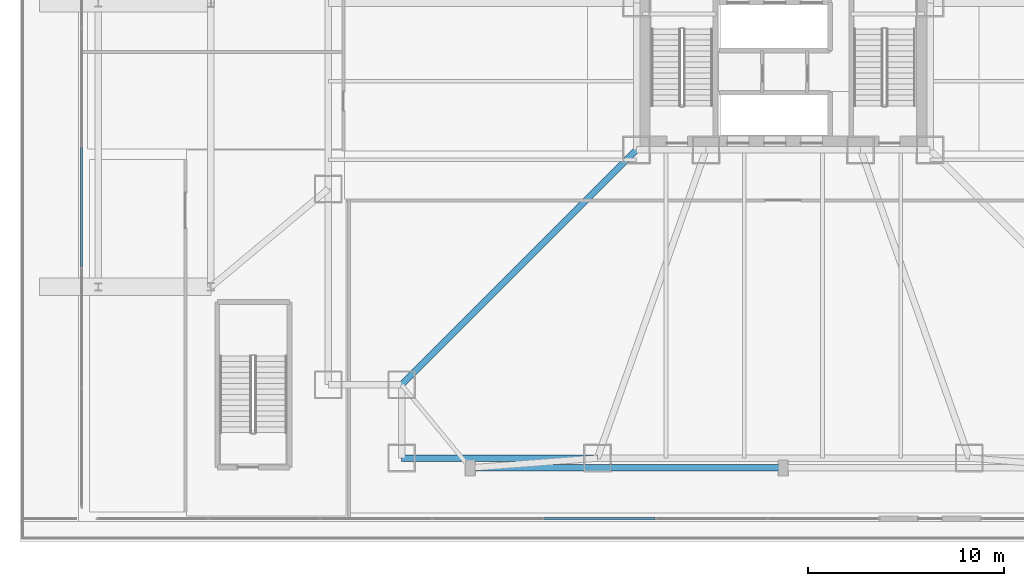
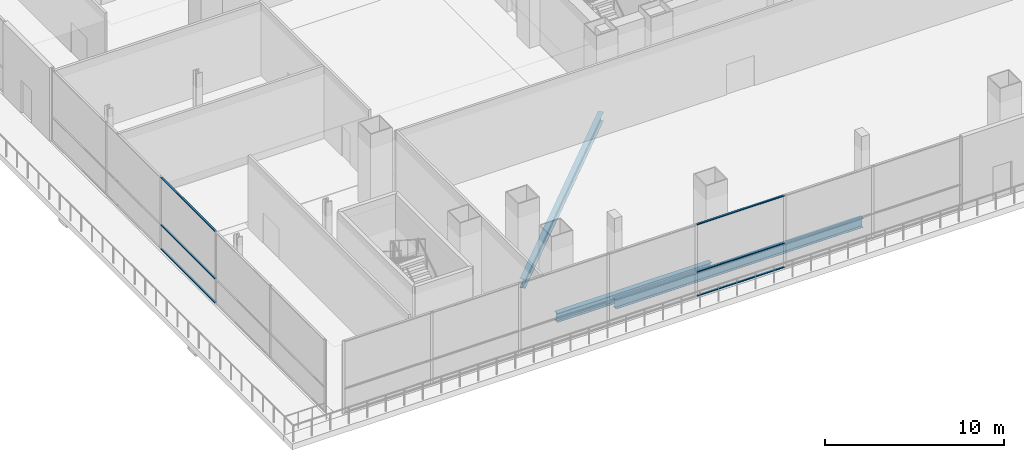
# One storey, part 6 of 35: 6 members, 3 beams, 2 elements without a shape of their own.
"""IFC4 building model written with IfcOpenShell, lengths in metres."""

from ifc_helpers import new_model, si_unit, direction, frame, origin, origin_2d, place, context, subcontext, project, spatial, rectangle, i_section, extrude, material, layer, layer_set, material_profile, profile_set, type_object, element, aggregate, save


model = new_model("IFC4")

# Units and contexts
model_context = context("Model", 3, precision=1e-05, world=origin(), true_north=direction((0.0, 1.0)))
body_context = subcontext(model_context, "Body", "Model", "MODEL_VIEW")
ifc_project = project(units=[si_unit("LENGTHUNIT", "METRE"), si_unit("AREAUNIT", "SQUARE_METRE"), si_unit("VOLUMEUNIT", "CUBIC_METRE"), si_unit("PLANEANGLEUNIT", "RADIAN"), si_unit("MASSUNIT", "GRAM", prefix="KILO")], contexts=[model_context])

# Site, building, storey
site_placement = place(None, origin())
site = spatial("IfcSite", under=ifc_project, at=site_placement, CompositionType="ELEMENT")
building_placement = place(site_placement, origin())
building = spatial("IfcBuilding", under=site, at=building_placement, Name="Trevonay Congress Spire", CompositionType="ELEMENT")
storey_placement = place(building_placement, frame((0.0, 0.0, 10.800048828125)))
storey = spatial("IfcBuildingStorey", under=building, at=storey_placement, Name="L02", CompositionType="ELEMENT", Elevation=10.800048828125)

# Beams
ifc_material_1 = material(Name="Steel ASTM A572 Grade 50", Category="steel")
ifc_material_profile_1 = material_profile(ifc_material_1, i_section(OverallWidth=0.324951171875, OverallDepth=0.615966796875, WebThickness=0.013916015625, FlangeThickness=0.021484375, FilletRadius=0.01806640625, at=origin_2d()), Name="W610x174")
ifc_profile_set_1 = profile_set([ifc_material_profile_1], Name="Steel ASTM A572 Grade 50")
beam_type = type_object("IfcBeamType", Name="BM-GIRD-W610X174", PredefinedType="BEAM", material=ifc_profile_set_1)
beam_1_placement = place(storey_placement, frame((-19.5, -23.25, -0.7080078125), z_axis=(1.0, 0.0, 0.0), x_axis=(0.0, 1.0, 0.0)))
element("IfcBeam", 1, at=beam_1_placement, inside=storey, type_object=beam_type, Name="L02 structural beam BM-L02-MS1", PredefinedType="BEAM", context=body_context, shape_type="SweptSolid", body=[
    extrude(i_section(OverallWidth=0.324951171875, OverallDepth=0.615966796875, WebThickness=0.013916015625, FlangeThickness=0.021484375, FilletRadius=0.01806640625, at=origin_2d()), origin(), (0.0, 0.0, 1.0), 10.0),
])
beam_2_placement = place(storey_placement, frame((-7.5, -7.5, -0.7080078125), z_axis=(-0.707106781187, -0.707106781187, 0.0), x_axis=(0.707106781187, -0.707106781187, 0.0)))
element("IfcBeam", 2, at=beam_2_placement, inside=storey, type_object=beam_type, Name="L02 structural beam BM-L02-RAD-SW", PredefinedType="BEAM", context=body_context, shape_type="SweptSolid", body=[
    extrude(i_section(OverallWidth=0.324951171875, OverallDepth=0.615966796875, WebThickness=0.013916015625, FlangeThickness=0.021484375, FilletRadius=0.01806640625, at=origin_2d()), origin(), (0.0, 0.0, 1.0), 16.970458984375),
])
beam_3_placement = place(storey_placement, frame((-16.0, -23.75, -0.7080078125), z_axis=(1.0, 0.0, 0.0), x_axis=(0.0, 1.0, 0.0)))
element("IfcBeam", 3, at=beam_3_placement, inside=storey, type_object=beam_type, Name="L02 structural beam BM-L02-PIL-S1", PredefinedType="BEAM", context=body_context, shape_type="SweptSolid", body=[
    extrude(i_section(OverallWidth=0.324951171875, OverallDepth=0.615966796875, WebThickness=0.013916015625, FlangeThickness=0.021484375, FilletRadius=0.01806640625, at=origin_2d()), origin(), (0.0, 0.0, 1.0), 16.0),
])

# Curtain wall, members
ifc_material_2 = material(Name="Pale Anodised Aluminium EN AW-6063-T6", Category="aluminium")
ifc_layer = layer(ifc_material_2, 0.179931640625, Name="Pale Anodised Aluminium EN AW-6063-T6")
ifc_layer_set = layer_set([ifc_layer], Name="Pale Anodised Aluminium EN AW-6063-T6")
curtain_wall_type = type_object("IfcCurtainWallType", Name="CW-SYS01-PODIUM-PALE-METAL", PredefinedType="NOTDEFINED", material=ifc_layer_set)
curtain_wall_1_placement = place(storey_placement, origin())
curtain_wall_1 = element("IfcCurtainWall", 4, at=curtain_wall_1_placement, inside=storey, type_object=curtain_wall_type, Name="L02 W1 podium curtain wall", PredefinedType="NOTDEFINED")
ifc_material_profile_2 = material_profile(ifc_material_2, rectangle(XDim=0.1201171875, YDim=0.06005859375, at=origin_2d()), Name="CW-TRANSOM-120-ALUMINIUM")
ifc_profile_set_2 = profile_set([ifc_material_profile_2], Name="Pale Anodised Aluminium EN AW-6063-T6")
member_type = type_object("IfcMemberType", Name="CW-TRANSOM-120-ALUMINIUM", PredefinedType="USERDEFINED", material=ifc_profile_set_2)
member_1_placement = place(storey_placement, frame((-35.85009765625, -13.4599609375, 0.06005859375), z_axis=(0.0, 1.0, 0.0), x_axis=(-1.0, 0.0, 0.0)))
member_1 = element("IfcMember", 5, at=member_1_placement, type_object=member_type, Name="CW01 transom 3.1", ObjectType="TRANSOM", PredefinedType="USERDEFINED", context=body_context, shape_type="SweptSolid", body=[
    extrude(rectangle(XDim=0.1201171875, YDim=0.06005859375, at=origin_2d()), origin(), (0.0, 0.0, 1.0), 6.070068359375),
])
member_2_placement = place(storey_placement, frame((-35.85009765625, -13.4599609375, 1.699951171875), z_axis=(0.0, 1.0, 0.0), x_axis=(-1.0, 0.0, 0.0)))
member_2 = element("IfcMember", 6, at=member_2_placement, type_object=member_type, Name="CW01 transom 3.2", ObjectType="TRANSOM", PredefinedType="USERDEFINED", context=body_context, shape_type="SweptSolid", body=[
    extrude(rectangle(XDim=0.1201171875, YDim=0.06005859375, at=origin_2d()), origin(), (0.0, 0.0, 1.0), 6.070068359375),
])
member_3_placement = place(storey_placement, frame((-35.85009765625, -13.4599609375, 4.93994140625), z_axis=(0.0, 1.0, 0.0), x_axis=(-1.0, 0.0, 0.0)))
member_3 = element("IfcMember", 7, at=member_3_placement, type_object=member_type, Name="CW01 transom 3.3", ObjectType="TRANSOM", PredefinedType="USERDEFINED", context=body_context, shape_type="SweptSolid", body=[
    extrude(rectangle(XDim=0.1201171875, YDim=0.06005859375, at=origin_2d()), origin(), (0.0, 0.0, 1.0), 6.070068359375),
])
aggregate(curtain_wall_1, [member_1, member_2, member_3])

curtain_wall_2_placement = place(storey_placement, origin())
curtain_wall_2 = element("IfcCurtainWall", 8, at=curtain_wall_2_placement, inside=storey, type_object=curtain_wall_type, Name="L02 S1 podium curtain wall", PredefinedType="NOTDEFINED")
member_4_placement = place(storey_placement, frame((-12.19140625, -26.35009765625, 0.06005859375), z_axis=(1.0, 0.0, 0.0), x_axis=(0.0, 1.0, 0.0)))
member_4 = element("IfcMember", 9, at=member_4_placement, type_object=member_type, Name="CW01 transom 5.1", ObjectType="TRANSOM", PredefinedType="USERDEFINED", context=body_context, shape_type="SweptSolid", body=[
    extrude(rectangle(XDim=0.1201171875, YDim=0.06005859375, at=origin_2d()), origin(), (0.0, 0.0, 1.0), 5.647216796875),
])
member_5_placement = place(storey_placement, frame((-12.19140625, -26.35009765625, 1.699951171875), z_axis=(1.0, 0.0, 0.0), x_axis=(0.0, 1.0, 0.0)))
member_5 = element("IfcMember", 10, at=member_5_placement, type_object=member_type, Name="CW01 transom 5.2", ObjectType="TRANSOM", PredefinedType="USERDEFINED", context=body_context, shape_type="SweptSolid", body=[
    extrude(rectangle(XDim=0.1201171875, YDim=0.06005859375, at=origin_2d()), origin(), (0.0, 0.0, 1.0), 5.647216796875),
])
member_6_placement = place(storey_placement, frame((-12.19140625, -26.35009765625, 4.93994140625), z_axis=(1.0, 0.0, 0.0), x_axis=(0.0, 1.0, 0.0)))
member_6 = element("IfcMember", 11, at=member_6_placement, type_object=member_type, Name="CW01 transom 5.3", ObjectType="TRANSOM", PredefinedType="USERDEFINED", context=body_context, shape_type="SweptSolid", body=[
    extrude(rectangle(XDim=0.1201171875, YDim=0.06005859375, at=origin_2d()), origin(), (0.0, 0.0, 1.0), 5.647216796875),
])
aggregate(curtain_wall_2, [member_4, member_5, member_6])

save(model, "model.ifc")
